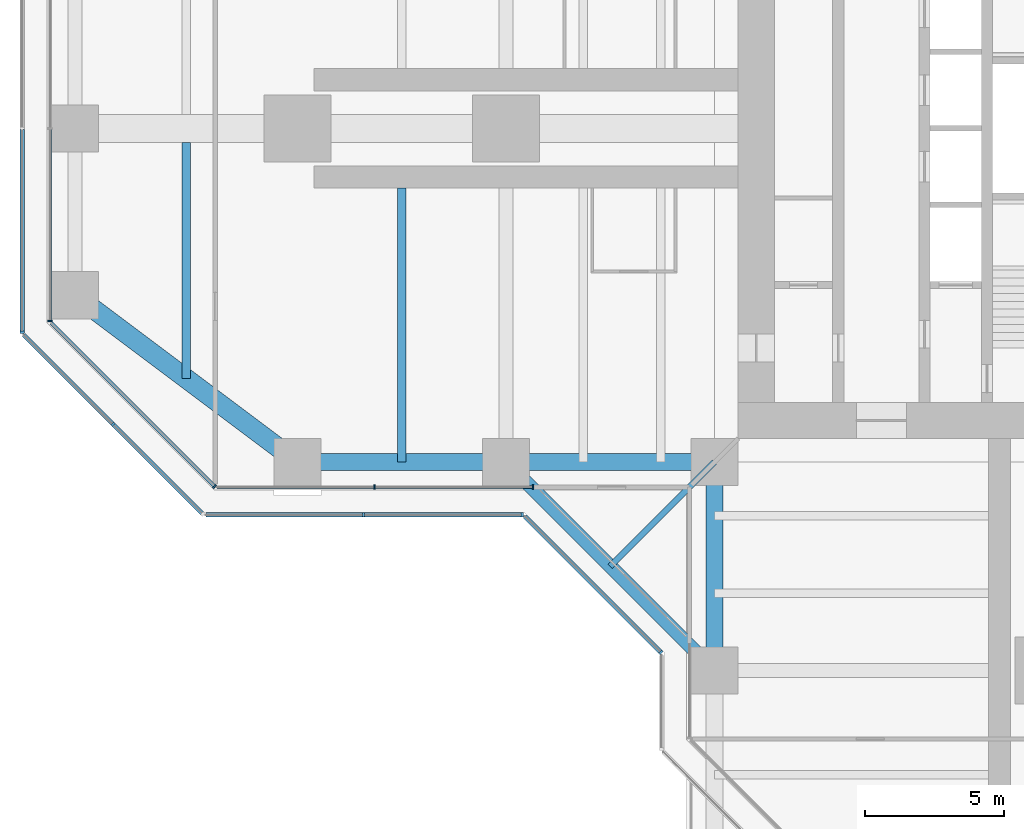
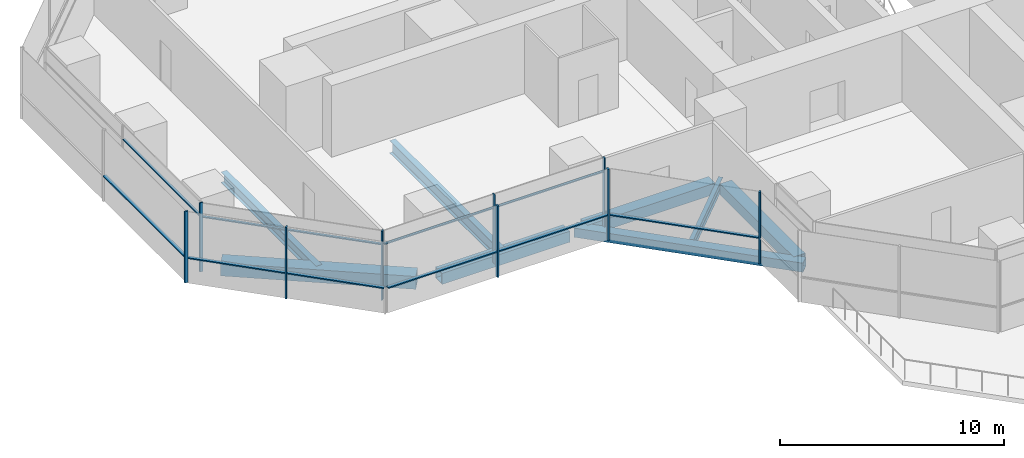
# One storey, part 3 of 21: 19 members, 8 beams, 7 elements without a shape of their own.
"""IFC4 building model written with IfcOpenShell, lengths in metres."""

from ifc_helpers import new_model, si_unit, direction, frame, origin, origin_2d, place, context, subcontext, project, spatial, rectangle, hollow_rectangle, i_section, extrude, material, material_profile, profile_set, type_object, element, aggregate, save


model = new_model("IFC4")

# Units and contexts
model_context = context("Model", 3, precision=1e-05, world=origin(), true_north=direction((0.0, 1.0)))
body_context = subcontext(model_context, "Body", "Model", "MODEL_VIEW")
ifc_project = project(units=[si_unit("LENGTHUNIT", "METRE"), si_unit("AREAUNIT", "SQUARE_METRE"), si_unit("VOLUMEUNIT", "CUBIC_METRE"), si_unit("PLANEANGLEUNIT", "RADIAN"), si_unit("MASSUNIT", "GRAM", prefix="KILO")], contexts=[model_context])

# Site, building, storey
site_placement = place(None, origin())
site = spatial("IfcSite", under=ifc_project, at=site_placement, CompositionType="ELEMENT")
building_placement = place(site_placement, origin())
building = spatial("IfcBuilding", under=site, at=building_placement, Name="Mizan Broadcast Tower", CompositionType="ELEMENT")
storey_placement = place(building_placement, frame((0.0, 0.0, 124.199951171875)))
storey = spatial("IfcBuildingStorey", under=building, at=storey_placement, Name="L27", CompositionType="ELEMENT", Elevation=124.199951171875)

# Beams
ifc_material_1 = material(Name="Steel S355", Category="steel")
ifc_material_profile_1 = material_profile(ifc_material_1, hollow_rectangle(XDim=0.5, YDim=0.5, WallThickness=0.030029296875, at=origin_2d()), Name="BOX 500x500x30")
ifc_profile_set_1 = profile_set([ifc_material_profile_1], Name="Steel S355")
beam_type_1 = type_object("IfcBeamType", Name="EDGE BEAM BOX 500x500x30", PredefinedType="SPANDREL", material=ifc_profile_set_1)
beam_1_placement = place(storey_placement, frame((-19.5, -12.0, -0.3798828125), z_axis=(0.707106781187, -0.707106781187, 0.0), x_axis=(0.707106781187, 0.707106781187, 0.0)))
element("IfcBeam", 1, at=beam_1_placement, inside=storey, type_object=beam_type_1, Name="Winter garden edge beam L27 W", PredefinedType="SPANDREL", context=body_context, shape_type="SweptSolid", body=[
    extrude(hollow_rectangle(XDim=0.5, YDim=0.5, WallThickness=0.030029296875, at=origin_2d()), origin(), (0.0, 0.0, 1.0), 10.606689453125),
])
ifc_material_2 = material(Name="Steel S355", Category="steel")
ifc_material_profile_2 = material_profile(ifc_material_2, hollow_rectangle(XDim=0.60009765625, YDim=0.60009765625, WallThickness=0.0400390625, at=origin_2d()), Name="BOX 600x600x40")
ifc_profile_set_2 = profile_set([ifc_material_profile_2], Name="Steel S355")
beam_type_2 = type_object("IfcBeamType", Name="EDGE BEAM BOX 600x600x40", PredefinedType="SPANDREL", material=ifc_profile_set_2)
for number, where, z_axis, x_axis, name in (
    (2, (-12.449951171875, -12.0, -0.429931640625), (-1.0, 0.0, 0.0), (0.0, -1.0, 0.0), "Edge beam BOX 600x600x40 L27 west arm"),
    (3, (-19.949951171875, -12.0, -0.429931640625), (-1.0, 0.0, 0.0), (0.0, -1.0, 0.0), "Edge beam BOX 600x600x40 L27 west arm"),
    (4, (-12.0, -12.449951171875, -0.429931640625), (0.0, -1.0, 0.0), (1.0, 0.0, 0.0), "Edge beam BOX 600x600x40 L27 south arm"),
):
    element("IfcBeam", number, at=place(storey_placement, frame(where, z_axis=z_axis, x_axis=x_axis)), inside=storey, type_object=beam_type_2, Name=name, PredefinedType="SPANDREL", context=body_context, shape_type="SweptSolid", body=[
        extrude(hollow_rectangle(XDim=0.60009765625, YDim=0.60009765625, WallThickness=0.0400390625, at=origin_2d()), origin(), (0.0, 0.0, 1.0), 6.60009765625),
    ])
ifc_material_3 = material(Name="Steel S355", Category="steel")
ifc_material_profile_3 = material_profile(ifc_material_3, hollow_rectangle(XDim=0.699951171875, YDim=0.699951171875, WallThickness=0.0400390625, at=origin_2d()), Name="BOX 700x700x40")
ifc_profile_set_3 = profile_set([ifc_material_profile_3], Name="Steel S355")
beam_type_3 = type_object("IfcBeamType", Name="EDGE BEAM BOX 700x700x40", PredefinedType="SPANDREL", material=ifc_profile_set_3)
beam_2_placement = place(storey_placement, frame((-27.47998046875, -11.639892578125, -0.47998046875), z_axis=(-0.800013316712, 0.599982243973, 0.0), x_axis=(-0.599982243973, -0.800013316712, 0.0)))
element("IfcBeam", 5, at=beam_2_placement, inside=storey, type_object=beam_type_3, Name="Edge beam BOX 700x700x40 L27 west arm", PredefinedType="SPANDREL", context=body_context, shape_type="SweptSolid", body=[
    extrude(hollow_rectangle(XDim=0.699951171875, YDim=0.699951171875, WallThickness=0.0400390625, at=origin_2d()), origin(), (0.0, 0.0, 1.0), 8.7998046875),
])

# Curtain wall, member
ifc_material_4 = material(Name="Aluminium framed glazing", Category="aluminium")
curtain_wall_type_1 = type_object("IfcCurtainWallType", Name="INNER SKIN MID ZONE", PredefinedType="USERDEFINED", material=ifc_material_4)
curtain_wall_1_placement = place(storey_placement, origin())
curtain_wall_1 = element("IfcCurtainWall", 6, at=curtain_wall_1_placement, inside=storey, type_object=curtain_wall_type_1, Name="Inner skin mid zone L27 W end", ObjectType="INNER SKIN MID ZONE", PredefinedType="USERDEFINED")
ifc_material_5 = material(Name="Aluminium, pale anodised", Category="aluminium")
ifc_material_profile_4 = material_profile(ifc_material_5, rectangle(XDim=0.159912109375, YDim=0.06005859375, at=origin_2d()), Name="MULLION 160x60")
ifc_profile_set_4 = profile_set([ifc_material_profile_4], Name="Aluminium, pale anodised")
member_type_1 = type_object("IfcMemberType", Name="INNER SKIN MULLION 60x160", PredefinedType="MULLION", material=ifc_profile_set_4)
member_1_placement = place(storey_placement, frame((-35.89990234375, -6.928466796875, 0.0), z_axis=(0.0, 0.0, 1.0), x_axis=(1.0, 0.0, 0.0)))
member_1 = element("IfcMember", 7, at=member_1_placement, type_object=member_type_1, Name="Inner skin mid zone L27 W end mullion 3", PredefinedType="MULLION", context=body_context, shape_type="SweptSolid", body=[
    extrude(rectangle(XDim=0.159912109375, YDim=0.06005859375, at=origin_2d()), origin(), (0.0, 0.0, 1.0), 3.77001953125),
])

curtain_wall_2_placement = place(storey_placement, origin())
curtain_wall_2 = element("IfcCurtainWall", 8, at=curtain_wall_2_placement, inside=storey, type_object=curtain_wall_type_1, Name="Inner skin mid zone L27 W chamfer", ObjectType="INNER SKIN MID ZONE", PredefinedType="USERDEFINED")
member_2_placement = place(storey_placement, frame((-29.979736328125, -12.87890625, 0.0), z_axis=(0.0, 0.0, 1.0), x_axis=(0.707106781187, 0.707106781187, 0.0)))
member_2 = element("IfcMember", 9, at=member_2_placement, type_object=member_type_1, Name="Inner skin mid zone L27 W chamfer mullion 2", PredefinedType="MULLION", context=body_context, shape_type="SweptSolid", body=[
    extrude(rectangle(XDim=0.159912109375, YDim=0.06005859375, at=origin_2d()), origin(), (0.0, 0.0, 1.0), 3.77001953125),
])

# Curtain wall, members
curtain_wall_3_placement = place(storey_placement, origin())
curtain_wall_3 = element("IfcCurtainWall", 10, at=curtain_wall_3_placement, inside=storey, type_object=curtain_wall_type_1, Name="Inner skin mid zone L27 W side", ObjectType="INNER SKIN MID ZONE", PredefinedType="USERDEFINED")
member_3_placement = place(storey_placement, frame((-24.229248046875, -12.89990234375, 0.0), z_axis=(0.0, 0.0, 1.0), x_axis=(0.0, 1.0, 0.0)))
member_3 = element("IfcMember", 11, at=member_3_placement, type_object=member_type_1, Name="Inner skin mid zone L27 W side mullion 2", PredefinedType="MULLION", context=body_context, shape_type="SweptSolid", body=[
    extrude(rectangle(XDim=0.159912109375, YDim=0.06005859375, at=origin_2d()), origin(), (0.0, 0.0, 1.0), 3.77001953125),
])
member_4_placement = place(storey_placement, frame((-18.530029296875, -12.89990234375, 0.0), z_axis=(0.0, 0.0, 1.0), x_axis=(0.0, 1.0, 0.0)))
member_4 = element("IfcMember", 12, at=member_4_placement, type_object=member_type_1, Name="Inner skin mid zone L27 W side mullion 3", PredefinedType="MULLION", context=body_context, shape_type="SweptSolid", body=[
    extrude(rectangle(XDim=0.159912109375, YDim=0.06005859375, at=origin_2d()), origin(), (0.0, 0.0, 1.0), 3.77001953125),
])

# Member
ifc_material_6 = material(Name="Aluminium, pale anodised", Category="aluminium")
ifc_material_profile_5 = material_profile(ifc_material_6, rectangle(XDim=0.1201171875, YDim=0.06005859375, at=origin_2d()), Name="TRANSOM 120x60")
ifc_profile_set_5 = profile_set([ifc_material_profile_5], Name="Aluminium, pale anodised")
member_type_2 = type_object("IfcMemberType", Name="INNER SKIN TRANSOM 60x120", PredefinedType="USERDEFINED", material=ifc_profile_set_5)
member_5_placement = place(storey_placement, frame((-35.89990234375, -0.030029296875, 3.030029296875), z_axis=(0.0, -1.0, 0.0), x_axis=(1.0, 0.0, 0.0)))
member_5 = element("IfcMember", 13, at=member_5_placement, type_object=member_type_2, Name="Inner skin mid zone L27 W end transom 2.1", ObjectType="TRANSOM", PredefinedType="USERDEFINED", context=body_context, shape_type="SweptSolid", body=[
    extrude(rectangle(XDim=0.1201171875, YDim=0.06005859375, at=origin_2d()), origin(), (0.0, 0.0, 1.0), 6.86865234375),
])

aggregate(curtain_wall_1, [member_1, member_5])

member_6_placement = place(storey_placement, frame((-35.857666015625, -7.0009765625, 3.030029296875), z_axis=(0.707106781187, -0.707106781187, 0.0), x_axis=(0.707106781187, 0.707106781187, 0.0)))
member_6 = element("IfcMember", 14, at=member_6_placement, type_object=member_type_2, Name="Inner skin mid zone L27 W chamfer transom 1.1", ObjectType="TRANSOM", PredefinedType="USERDEFINED", context=body_context, shape_type="SweptSolid", body=[
    extrude(rectangle(XDim=0.1201171875, YDim=0.06005859375, at=origin_2d()), origin(), (0.0, 0.0, 1.0), 8.28271484375),
])

aggregate(curtain_wall_2, [member_2, member_6])

member_7_placement = place(storey_placement, frame((-29.898681640625, -12.89990234375, 3.030029296875), z_axis=(1.0, 0.0, 0.0), x_axis=(0.0, 1.0, 0.0)))
member_7 = element("IfcMember", 15, at=member_7_placement, type_object=member_type_2, Name="Inner skin mid zone L27 W side transom 1.1", ObjectType="TRANSOM", PredefinedType="USERDEFINED", context=body_context, shape_type="SweptSolid", body=[
    extrude(rectangle(XDim=0.1201171875, YDim=0.06005859375, at=origin_2d()), origin(), (0.0, 0.0, 1.0), 5.639404296875),
])

member_8_placement = place(storey_placement, frame((-24.19921875, -12.89990234375, 3.030029296875), z_axis=(1.0, 0.0, 0.0), x_axis=(0.0, 1.0, 0.0)))
member_8 = element("IfcMember", 16, at=member_8_placement, type_object=member_type_2, Name="Inner skin mid zone L27 W side transom 2.1", ObjectType="TRANSOM", PredefinedType="USERDEFINED", context=body_context, shape_type="SweptSolid", body=[
    extrude(rectangle(XDim=0.1201171875, YDim=0.06005859375, at=origin_2d()), origin(), (0.0, 0.0, 1.0), 5.63916015625),
])

aggregate(curtain_wall_3, [member_3, member_4, member_7, member_8])

# Curtain wall, member
ifc_material_7 = material(Name="Aluminium framed glazing", Category="aluminium")
curtain_wall_type_2 = type_object("IfcCurtainWallType", Name="OUTER SKIN", PredefinedType="USERDEFINED", material=ifc_material_7)
curtain_wall_4_placement = place(storey_placement, origin())
curtain_wall_4 = element("IfcCurtainWall", 17, at=curtain_wall_4_placement, inside=storey, type_object=curtain_wall_type_2, Name="Outer skin L27 W end", ObjectType="OUTER SKIN", PredefinedType="USERDEFINED")
ifc_material_8 = material(Name="Aluminium, pale anodised", Category="aluminium")
ifc_material_profile_6 = material_profile(ifc_material_8, rectangle(XDim=0.159912109375, YDim=0.080078125, at=origin_2d()), Name="MULLION 160x80")
ifc_profile_set_6 = profile_set([ifc_material_profile_6], Name="Aluminium, pale anodised")
member_type_3 = type_object("IfcMemberType", Name="OUTER SKIN MULLION 80x160", PredefinedType="MULLION", material=ifc_profile_set_6)
member_9_placement = place(storey_placement, frame((-36.89990234375, -7.332763671875, 0.0), z_axis=(0.0, 0.0, 1.0), x_axis=(1.0, 0.0, 0.0)))
member_9 = element("IfcMember", 18, at=member_9_placement, type_object=member_type_3, Name="Outer skin L27 W end mullion 3", PredefinedType="MULLION", context=body_context, shape_type="SweptSolid", body=[
    extrude(rectangle(XDim=0.159912109375, YDim=0.080078125, at=origin_2d()), origin(), (0.0, 0.0, 1.0), 3.900146484375),
])

curtain_wall_5_placement = place(storey_placement, origin())
curtain_wall_5 = element("IfcCurtainWall", 19, at=curtain_wall_5_placement, inside=storey, type_object=curtain_wall_type_2, Name="Outer skin L27 W chamfer", ObjectType="OUTER SKIN", PredefinedType="USERDEFINED")
member_10_placement = place(storey_placement, frame((-33.636474609375, -10.636474609375, 0.0), z_axis=(0.0, 0.0, 1.0), x_axis=(0.707106781187, 0.707106781187, 0.0)))
member_10 = element("IfcMember", 20, at=member_10_placement, type_object=member_type_3, Name="Outer skin L27 W chamfer mullion 2", PredefinedType="MULLION", context=body_context, shape_type="SweptSolid", body=[
    extrude(rectangle(XDim=0.159912109375, YDim=0.080078125, at=origin_2d()), origin(), (0.0, 0.0, 1.0), 3.900146484375),
])

# Curtain wall, members
curtain_wall_6_placement = place(storey_placement, origin())
curtain_wall_6 = element("IfcCurtainWall", 21, at=curtain_wall_6_placement, inside=storey, type_object=curtain_wall_type_2, Name="Outer skin L27 W side", ObjectType="OUTER SKIN", PredefinedType="USERDEFINED")
member_11_placement = place(storey_placement, frame((-24.622802734375, -13.89990234375, 0.0), z_axis=(0.0, 0.0, 1.0), x_axis=(0.0, 1.0, 0.0)))
member_11 = element("IfcMember", 22, at=member_11_placement, type_object=member_type_3, Name="Outer skin L27 W side mullion 2", PredefinedType="MULLION", context=body_context, shape_type="SweptSolid", body=[
    extrude(rectangle(XDim=0.159912109375, YDim=0.080078125, at=origin_2d()), origin(), (0.0, 0.0, 1.0), 3.900146484375),
])
member_12_placement = place(storey_placement, frame((-18.912841796875, -13.89990234375, 0.0), z_axis=(0.0, 0.0, 1.0), x_axis=(0.0, 1.0, 0.0)))
member_12 = element("IfcMember", 23, at=member_12_placement, type_object=member_type_3, Name="Outer skin L27 W side mullion 3", PredefinedType="MULLION", context=body_context, shape_type="SweptSolid", body=[
    extrude(rectangle(XDim=0.159912109375, YDim=0.080078125, at=origin_2d()), origin(), (0.0, 0.0, 1.0), 3.900146484375),
])

# Curtain wall, member
curtain_wall_7_placement = place(storey_placement, origin())
curtain_wall_7 = element("IfcCurtainWall", 24, at=curtain_wall_7_placement, inside=storey, type_object=curtain_wall_type_2, Name="Outer skin L27 W chamfer", ObjectType="OUTER SKIN", PredefinedType="USERDEFINED")
member_13_placement = place(storey_placement, frame((-13.92822265625, -18.844482421875, 0.0), z_axis=(0.0, 0.0, 1.0), x_axis=(0.707106781187, 0.707106781187, 0.0)))
member_13 = element("IfcMember", 25, at=member_13_placement, type_object=member_type_3, Name="Outer skin L27 W chamfer mullion 2", PredefinedType="MULLION", context=body_context, shape_type="SweptSolid", body=[
    extrude(rectangle(XDim=0.159912109375, YDim=0.080078125, at=origin_2d()), origin(), (0.0, 0.0, 1.0), 3.900146484375),
])

# Member
ifc_material_9 = material(Name="Aluminium, pale anodised", Category="aluminium")
ifc_material_profile_7 = material_profile(ifc_material_9, rectangle(XDim=0.159912109375, YDim=0.06005859375, at=origin_2d()), Name="TRANSOM 160x60")
ifc_profile_set_7 = profile_set([ifc_material_profile_7], Name="Aluminium, pale anodised")
member_type_4 = type_object("IfcMemberType", Name="OUTER SKIN TRANSOM 60x160", PredefinedType="USERDEFINED", material=ifc_profile_set_7)
member_14_placement = place(storey_placement, frame((-36.89990234375, -0.0400390625, 1.400146484375), z_axis=(0.0, -1.0, 0.0), x_axis=(1.0, 0.0, 0.0)))
member_14 = element("IfcMember", 26, at=member_14_placement, type_object=member_type_4, Name="Outer skin L27 W end transom 2.1", ObjectType="TRANSOM", PredefinedType="USERDEFINED", context=body_context, shape_type="SweptSolid", body=[
    extrude(rectangle(XDim=0.159912109375, YDim=0.06005859375, at=origin_2d()), origin(), (0.0, 0.0, 1.0), 7.252685546875),
])

aggregate(curtain_wall_4, [member_9, member_14])

member_15_placement = place(storey_placement, frame((-36.843505859375, -7.429443359375, 1.400146484375), z_axis=(0.707106781187, -0.707106781187, 0.0), x_axis=(0.707106781187, 0.707106781187, 0.0)))
member_15 = element("IfcMember", 27, at=member_15_placement, type_object=member_type_4, Name="Outer skin L27 W chamfer transom 1.1", ObjectType="TRANSOM", PredefinedType="USERDEFINED", context=body_context, shape_type="SweptSolid", body=[
    extrude(rectangle(XDim=0.159912109375, YDim=0.06005859375, at=origin_2d()), origin(), (0.0, 0.0, 1.0), 4.495361328125),
])

member_16_placement = place(storey_placement, frame((-33.608154296875, -10.664794921875, 1.400146484375), z_axis=(0.707106781187, -0.707106781187, 0.0), x_axis=(0.707106781187, 0.707106781187, 0.0)))
member_16 = element("IfcMember", 28, at=member_16_placement, type_object=member_type_4, Name="Outer skin L27 W chamfer transom 2.1", ObjectType="TRANSOM", PredefinedType="USERDEFINED", context=body_context, shape_type="SweptSolid", body=[
    extrude(rectangle(XDim=0.159912109375, YDim=0.06005859375, at=origin_2d()), origin(), (0.0, 0.0, 1.0), 4.495361328125),
])

aggregate(curtain_wall_5, [member_10, member_15, member_16])

member_17_placement = place(storey_placement, frame((-30.292724609375, -13.89990234375, 1.400146484375), z_axis=(1.0, 0.0, 0.0), x_axis=(0.0, 1.0, 0.0)))
member_17 = element("IfcMember", 29, at=member_17_placement, type_object=member_type_4, Name="Outer skin L27 W side transom 1.1", ObjectType="TRANSOM", PredefinedType="USERDEFINED", context=body_context, shape_type="SweptSolid", body=[
    extrude(rectangle(XDim=0.159912109375, YDim=0.06005859375, at=origin_2d()), origin(), (0.0, 0.0, 1.0), 5.6298828125),
])

member_18_placement = place(storey_placement, frame((-24.582763671875, -13.89990234375, 1.400146484375), z_axis=(1.0, 0.0, 0.0), x_axis=(0.0, 1.0, 0.0)))
member_18 = element("IfcMember", 30, at=member_18_placement, type_object=member_type_4, Name="Outer skin L27 W side transom 2.1", ObjectType="TRANSOM", PredefinedType="USERDEFINED", context=body_context, shape_type="SweptSolid", body=[
    extrude(rectangle(XDim=0.159912109375, YDim=0.06005859375, at=origin_2d()), origin(), (0.0, 0.0, 1.0), 5.6298828125),
])

aggregate(curtain_wall_6, [member_11, member_12, member_17, member_18])

member_19_placement = place(storey_placement, frame((-18.816162109375, -13.95654296875, 1.400146484375), z_axis=(0.707106781187, -0.707106781187, 0.0), x_axis=(0.707106781187, 0.707106781187, 0.0)))
member_19 = element("IfcMember", 31, at=member_19_placement, type_object=member_type_4, Name="Outer skin L27 W chamfer transom 1.1", ObjectType="TRANSOM", PredefinedType="USERDEFINED", context=body_context, shape_type="SweptSolid", body=[
    extrude(rectangle(XDim=0.159912109375, YDim=0.06005859375, at=origin_2d()), origin(), (0.0, 0.0, 1.0), 6.87255859375),
])

aggregate(curtain_wall_7, [member_13, member_19])

# Beams
ifc_material_10 = material(Name="Steel S355", Category="steel")
ifc_material_profile_8 = material_profile(ifc_material_10, i_section(OverallWidth=0.300048828125, OverallDepth=0.590087890625, WebThickness=0.012939453125, FlangeThickness=0.02490234375, FilletRadius=0.027099609375, at=origin_2d()), Name="HEA 600")
ifc_profile_set_8 = profile_set([ifc_material_profile_8], Name="Steel S355")
beam_type_4 = type_object("IfcBeamType", Name="SECONDARY BEAM HEA 600", PredefinedType="JOIST", material=ifc_profile_set_8)
beam_3_placement = place(storey_placement, frame((-31.0, -9.0, -0.425048828125), z_axis=(0.0, 1.0, 0.0), x_axis=(-1.0, 0.0, 0.0)))
element("IfcBeam", 32, at=beam_3_placement, inside=storey, type_object=beam_type_4, Name="Secondary beam HEA 600 L27 west arm", PredefinedType="JOIST", context=body_context, shape_type="SweptSolid", body=[
    extrude(i_section(OverallWidth=0.300048828125, OverallDepth=0.590087890625, WebThickness=0.012939453125, FlangeThickness=0.02490234375, FilletRadius=0.027099609375, at=origin_2d()), origin(), (0.0, 0.0, 1.0), 8.5),
])
ifc_material_11 = material(Name="Steel S355", Category="steel")
ifc_material_profile_9 = material_profile(ifc_material_11, i_section(OverallWidth=0.300048828125, OverallDepth=0.68994140625, WebThickness=0.014404296875, FlangeThickness=0.027099609375, FilletRadius=0.027099609375, at=origin_2d()), Name="HEA 700")
ifc_profile_set_9 = profile_set([ifc_material_profile_9], Name="Steel S355")
beam_type_5 = type_object("IfcBeamType", Name="SECONDARY BEAM HEA 700", PredefinedType="JOIST", material=ifc_profile_set_9)
beam_4_placement = place(storey_placement, frame((-23.25, -12.0, -0.474853515625), z_axis=(0.0, 1.0, 0.0), x_axis=(-1.0, 0.0, 0.0)))
element("IfcBeam", 33, at=beam_4_placement, inside=storey, type_object=beam_type_5, Name="Secondary beam HEA 700 L27 west arm", PredefinedType="JOIST", context=body_context, shape_type="SweptSolid", body=[
    extrude(i_section(OverallWidth=0.300048828125, OverallDepth=0.68994140625, WebThickness=0.014404296875, FlangeThickness=0.027099609375, FilletRadius=0.027099609375, at=origin_2d()), origin(), (0.0, 0.0, 1.0), 9.85009765625),
])
ifc_material_12 = material(Name="Steel S355", Category="steel")
ifc_material_profile_10 = material_profile(ifc_material_12, i_section(OverallWidth=0.2099609375, OverallDepth=0.550048828125, WebThickness=0.010986328125, FlangeThickness=0.01708984375, FilletRadius=0.02392578125, at=origin_2d()), Name="IPE 550")
ifc_profile_set_10 = profile_set([ifc_material_profile_10], Name="Steel S355")
beam_type_6 = type_object("IfcBeamType", Name="SECONDARY BEAM IPE 550", PredefinedType="JOIST", material=ifc_profile_set_10)
beam_5_placement = place(storey_placement, frame((-12.0, -12.0, -0.405029296875), z_axis=(-0.707106781187, -0.707106781187, 0.0), x_axis=(0.707106781187, -0.707106781187, 0.0)))
element("IfcBeam", 34, at=beam_5_placement, inside=storey, type_object=beam_type_6, Name="Winter garden beam L27 W", PredefinedType="JOIST", context=body_context, shape_type="SweptSolid", body=[
    extrude(i_section(OverallWidth=0.2099609375, OverallDepth=0.550048828125, WebThickness=0.010986328125, FlangeThickness=0.01708984375, FilletRadius=0.02392578125, at=origin_2d()), origin(), (0.0, 0.0, 1.0), 5.30322265625),
])

save(model, "model.ifc")
